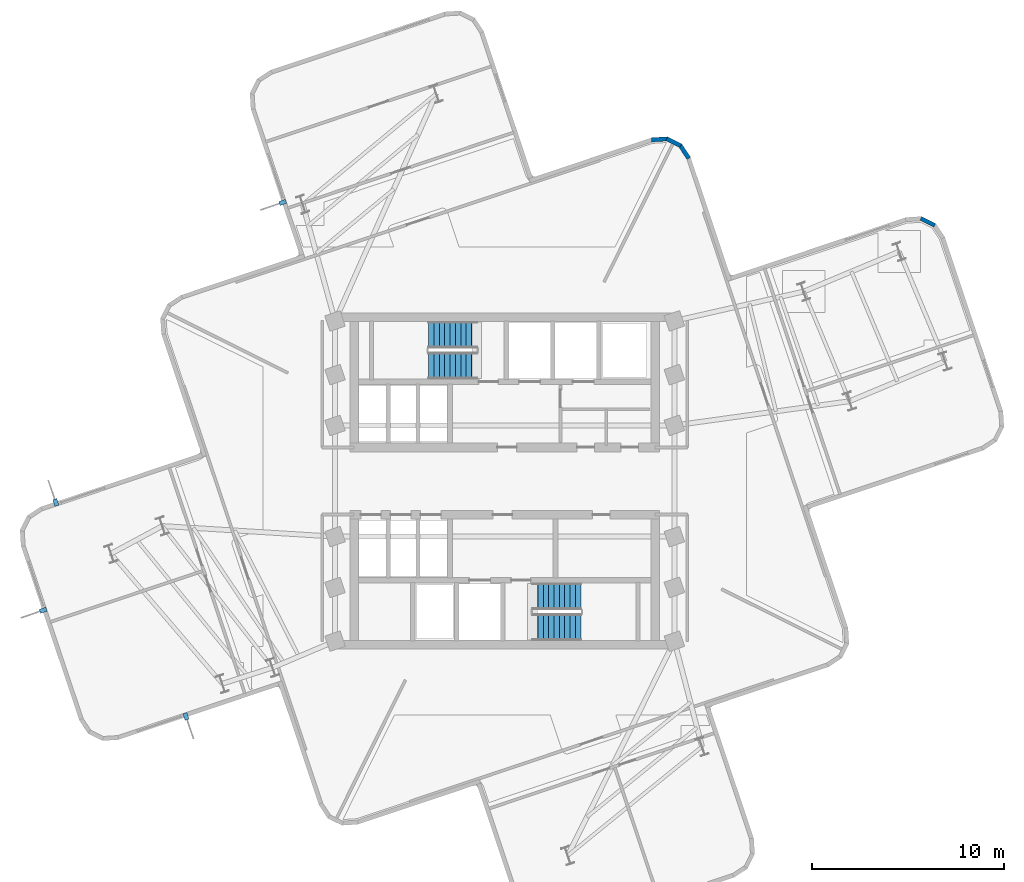
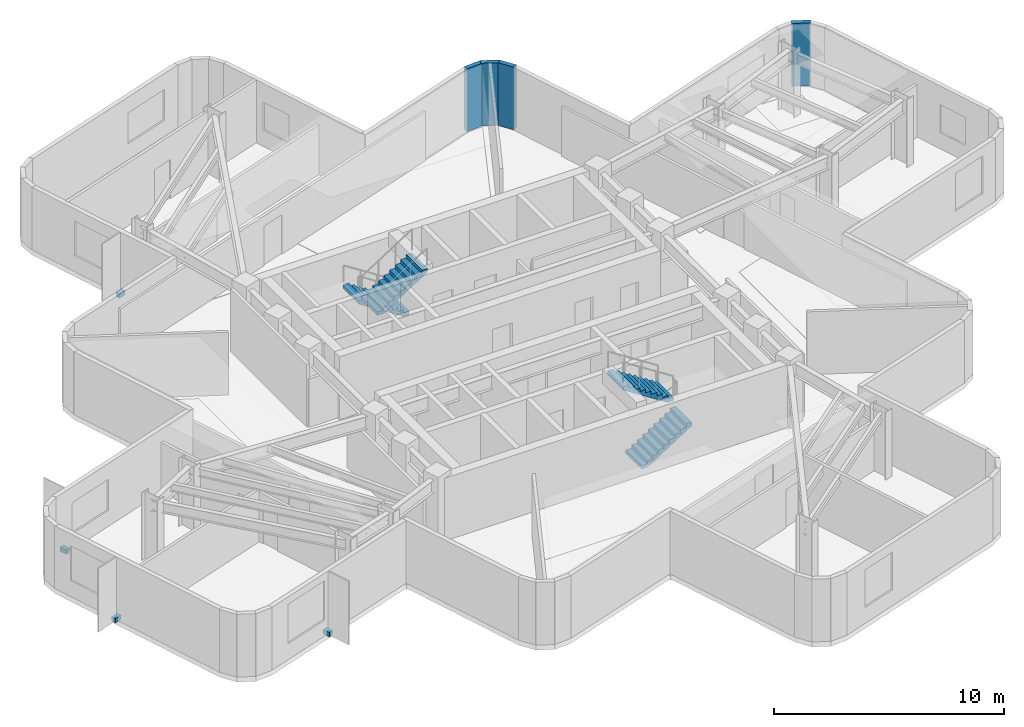
# One storey, part 5 of 8: 4 discrete accessories, 4 stair flights, 4 walls, 2 elements without a shape of their own.
"""IFC4 building model written with IfcOpenShell, lengths in metres."""

from ifc_helpers import new_model, si_unit, direction, frame, frame_2d, origin, origin_2d, place, context, subcontext, project, spatial, polyline, rectangle, outline, extrude, material, layer, layer_set, type_object, element, aggregate, save


model = new_model("IFC4")

# Units and contexts
model_context = context("Model", 3, precision=1e-05, world=origin(), true_north=direction((0.0, 1.0)))
body_context = subcontext(model_context, "Body", "Model", "MODEL_VIEW")
ifc_project = project(units=[si_unit("LENGTHUNIT", "METRE"), si_unit("AREAUNIT", "SQUARE_METRE"), si_unit("VOLUMEUNIT", "CUBIC_METRE"), si_unit("PLANEANGLEUNIT", "RADIAN"), si_unit("MASSUNIT", "GRAM", prefix="KILO")], contexts=[model_context])

# Site, building, storey
site_placement = place(None, origin())
site = spatial("IfcSite", under=ifc_project, at=site_placement, CompositionType="ELEMENT")
building_placement = place(site_placement, origin())
building = spatial("IfcBuilding", under=site, at=building_placement, Name="Solmarez Civic Tower", CompositionType="ELEMENT")
storey_placement = place(building_placement, frame((0.0, 0.0, 159.47998046875)))
storey = spatial("IfcBuildingStorey", under=building, at=storey_placement, Name="L42", CompositionType="ELEMENT", Elevation=159.47998046875)

# Walls
ifc_material_1 = material(Name="Precast concrete C40/50", Category="concrete")
ifc_layer = layer(ifc_material_1, 0.219970703125)
ifc_layer_set = layer_set([ifc_layer], Name="Precast concrete C40/50")
wall_type = type_object("IfcWallType", Name="WALL-EXT-220", PredefinedType="SOLIDWALL", material=ifc_layer_set)
wall_1_placement = place(storey_placement, frame((7.659912109375, 17.7958984375, 0.0), z_axis=(0.0, 0.0, 1.0), x_axis=(0.998057128569, 0.062305442082, 0.0)))
element("IfcWall", 1, at=wall_1_placement, inside=storey, type_object=wall_type, Name="L42 Exterior Precast Wall 32", PredefinedType="SOLIDWALL", context=body_context, shape_type="SweptSolid", body=[
    extrude(rectangle(XDim=0.834716796875, YDim=0.219970703125, at=frame_2d((0.41748046875, 0.0))), origin(), (0.0, 0.0, 1.0), 3.340087890625),
])
wall_2_placement = place(storey_placement, frame((8.446044921875, 17.85693359375, 0.0), z_axis=(0.0, 0.0, 1.0), x_axis=(0.894904281631, -0.446258139106, 0.0)))
element("IfcWall", 2, at=wall_2_placement, inside=storey, type_object=wall_type, Name="L42 Exterior Precast Wall 33", PredefinedType="SOLIDWALL", context=body_context, shape_type="SweptSolid", body=[
    extrude(rectangle(XDim=0.81787109375, YDim=0.219970703125, at=frame_2d((0.408935546875, 0.0))), origin(), (0.0, 0.0, 1.0), 3.340087890625),
])
wall_3_placement = place(storey_placement, frame((9.14208984375, 17.52392578125, 0.0), z_axis=(0.0, 0.0, 1.0), x_axis=(0.552133058206, -0.833756011094, 0.0)))
element("IfcWall", 3, at=wall_3_placement, inside=storey, type_object=wall_type, Name="L42 Exterior Precast Wall 34", PredefinedType="SOLIDWALL", context=body_context, shape_type="SweptSolid", body=[
    extrude(rectangle(XDim=0.834716796875, YDim=0.219970703125, at=frame_2d((0.41748046875, 0.0))), origin(), (0.0, 0.0, 1.0), 3.340087890625),
])
wall_4_placement = place(storey_placement, frame((21.700927734375, 13.697998046875, 0.0), z_axis=(0.0, 0.0, 1.0), x_axis=(0.894963703084, -0.446138958356, 0.0)))
element("IfcWall", 4, at=wall_4_placement, inside=storey, type_object=wall_type, Name="L42 Exterior Precast Wall 40", PredefinedType="SOLIDWALL", context=body_context, shape_type="SweptSolid", body=[
    extrude(rectangle(XDim=0.818115234375, YDim=0.219970703125, at=frame_2d((0.4091796875, 0.0))), origin(), (0.0, 0.0, 1.0), 3.340087890625),
])

# Stair, stair flights
ifc_material_2 = material(Name="Concrete C50/60", Category="concrete")
stair_type = type_object("IfcStairType", Name="STAIR-DOGLEG-140W-20R-1800", PredefinedType="HALF_TURN_STAIR", material=ifc_material_2)
stair_1_placement = place(storey_placement, origin())
stair_1 = element("IfcStair", 5, at=stair_1_placement, inside=storey, type_object=stair_type, Name="L42 North Core Protected Exit Stair ST-1", PredefinedType="HALF_TURN_STAIR")
stair_flight_type = type_object("IfcStairFlightType", Name="FLIGHT-DOGLEG-140W-10R-1800", PredefinedType="STRAIGHT", material=ifc_material_2)
stair_flight_1_placement = place(storey_placement, frame((-1.449951171875, 7.6201171875, 0.0), z_axis=(0.0, 0.0, 1.0), x_axis=(-1.0, 0.0, 0.0)))
stair_flight_1 = element("IfcStairFlight", 6, at=stair_flight_1_placement, type_object=stair_flight_type, Name="ST-1 flight 1", NumberOfRisers=10, NumberOfTreads=9, PredefinedType="STRAIGHT", RiserHeight=0.18, TreadLength=0.28, context=body_context, shape_type="SweptSolid", body=[
    extrude(outline(polyline([(0.0, 0.0), (0.0, 0.179931640625), (0.280029296875, 0.179931640625), (0.280029296875, 0.360107421875), (0.56005859375, 0.360107421875), (0.56005859375, 0.5400390625), (0.840087890625, 0.5400390625), (0.840087890625, 0.719970703125), (1.1201171875, 0.719970703125), (1.1201171875, 0.89990234375), (1.39990234375, 0.89990234375), (1.39990234375, 1.080078125), (1.679931640625, 1.080078125), (1.679931640625, 1.260009765625), (1.9599609375, 1.260009765625), (1.9599609375, 1.43994140625), (2.239990234375, 1.43994140625), (2.239990234375, 1.6201171875), (2.52001953125, 1.6201171875), (2.52001953125, 1.800048828125), (2.52001953125, 1.429931640625), (0.295654296875, 0.0), (0.0, 0.0)])), frame((0.0, 0.699951171875, 0.0), z_axis=(0.0, -1.0, 0.0), x_axis=(1.0, 0.0, 0.0)), (0.0, 0.0, 1.0), 1.39990234375),
])
stair_flight_2_placement = place(storey_placement, frame((-3.969970703125, 6.02001953125, 1.800048828125), z_axis=(0.0, 0.0, 1.0), x_axis=(1.0, 0.0, 0.0)))
stair_flight_2 = element("IfcStairFlight", 7, at=stair_flight_2_placement, type_object=stair_flight_type, Name="ST-1 flight 2", NumberOfRisers=10, NumberOfTreads=9, PredefinedType="STRAIGHT", RiserHeight=0.18, TreadLength=0.28, context=body_context, shape_type="SweptSolid", body=[
    extrude(outline(polyline([(0.0, 0.0), (0.0, 0.179931640625), (0.280029296875, 0.179931640625), (0.280029296875, 0.360107421875), (0.56005859375, 0.360107421875), (0.56005859375, 0.5400390625), (0.840087890625, 0.5400390625), (0.840087890625, 0.719970703125), (1.1201171875, 0.719970703125), (1.1201171875, 0.89990234375), (1.39990234375, 0.89990234375), (1.39990234375, 1.080078125), (1.679931640625, 1.080078125), (1.679931640625, 1.260009765625), (1.9599609375, 1.260009765625), (1.9599609375, 1.43994140625), (2.239990234375, 1.43994140625), (2.239990234375, 1.6201171875), (2.52001953125, 1.6201171875), (2.52001953125, 1.800048828125), (2.52001953125, 1.429931640625), (0.295654296875, 0.0), (0.0, 0.0)])), frame((0.0, 0.699951171875, 0.0), z_axis=(0.0, -1.0, 0.0), x_axis=(1.0, 0.0, 0.0)), (0.0, 0.0, 1.0), 1.39990234375),
])
aggregate(stair_1, [stair_flight_1, stair_flight_2])

stair_2_placement = place(storey_placement, origin())
stair_2 = element("IfcStair", 8, at=stair_2_placement, inside=storey, type_object=stair_type, Name="L42 South Core Protected Exit Stair ST-2", PredefinedType="HALF_TURN_STAIR")
stair_flight_3_placement = place(storey_placement, frame((1.449951171875, -7.6201171875, 0.0), z_axis=(0.0, 0.0, 1.0), x_axis=(1.0, 0.0, 0.0)))
stair_flight_3 = element("IfcStairFlight", 9, at=stair_flight_3_placement, type_object=stair_flight_type, Name="ST-2 flight 1", NumberOfRisers=10, NumberOfTreads=9, PredefinedType="STRAIGHT", RiserHeight=0.18, TreadLength=0.28, context=body_context, shape_type="SweptSolid", body=[
    extrude(outline(polyline([(0.0, 0.0), (0.0, 0.179931640625), (0.280029296875, 0.179931640625), (0.280029296875, 0.360107421875), (0.56005859375, 0.360107421875), (0.56005859375, 0.5400390625), (0.840087890625, 0.5400390625), (0.840087890625, 0.719970703125), (1.1201171875, 0.719970703125), (1.1201171875, 0.89990234375), (1.39990234375, 0.89990234375), (1.39990234375, 1.080078125), (1.679931640625, 1.080078125), (1.679931640625, 1.260009765625), (1.9599609375, 1.260009765625), (1.9599609375, 1.43994140625), (2.239990234375, 1.43994140625), (2.239990234375, 1.6201171875), (2.52001953125, 1.6201171875), (2.52001953125, 1.800048828125), (2.52001953125, 1.429931640625), (0.295654296875, 0.0), (0.0, 0.0)])), frame((0.0, 0.699951171875, 0.0), z_axis=(0.0, -1.0, 0.0), x_axis=(1.0, 0.0, 0.0)), (0.0, 0.0, 1.0), 1.39990234375),
])
stair_flight_4_placement = place(storey_placement, frame((3.969970703125, -6.02001953125, 1.800048828125), z_axis=(0.0, 0.0, 1.0), x_axis=(-1.0, 0.0, 0.0)))
stair_flight_4 = element("IfcStairFlight", 10, at=stair_flight_4_placement, type_object=stair_flight_type, Name="ST-2 flight 2", NumberOfRisers=10, NumberOfTreads=9, PredefinedType="STRAIGHT", RiserHeight=0.18, TreadLength=0.28, context=body_context, shape_type="SweptSolid", body=[
    extrude(outline(polyline([(0.0, 0.0), (0.0, 0.179931640625), (0.280029296875, 0.179931640625), (0.280029296875, 0.360107421875), (0.56005859375, 0.360107421875), (0.56005859375, 0.5400390625), (0.840087890625, 0.5400390625), (0.840087890625, 0.719970703125), (1.1201171875, 0.719970703125), (1.1201171875, 0.89990234375), (1.39990234375, 0.89990234375), (1.39990234375, 1.080078125), (1.679931640625, 1.080078125), (1.679931640625, 1.260009765625), (1.9599609375, 1.260009765625), (1.9599609375, 1.43994140625), (2.239990234375, 1.43994140625), (2.239990234375, 1.6201171875), (2.52001953125, 1.6201171875), (2.52001953125, 1.800048828125), (2.52001953125, 1.429931640625), (0.295654296875, 0.0), (0.0, 0.0)])), frame((0.0, 0.699951171875, 0.0), z_axis=(0.0, -1.0, 0.0), x_axis=(1.0, 0.0, 0.0)), (0.0, 0.0, 1.0), 1.39990234375),
])
aggregate(stair_2, [stair_flight_3, stair_flight_4])

# Discrete accessories
ifc_material_3 = material(Name="Stainless Steel Grade 1.4401", Category="steel")
discrete_accessory_type = type_object("IfcDiscreteAccessoryType", Name="BRACKET-SS-FIN", PredefinedType="BRACKET", material=ifc_material_3)
for number, where, z_axis, x_axis, name in (
    (11, (-16.623046875, -12.279052734375, -0.06005859375), (0.0, 0.0, 1.0), (0.317267246801, -0.948336171464, 0.0), "L42 Stainless Fin Support Bracket FIN-L42-01"),
    (12, (-24.073974609375, -6.742919921875, -0.06005859375), (0.0, 0.0, 1.0), (-0.948327481565, -0.317293220395, 0.0), "L42 Stainless Fin Support Bracket FIN-L42-02"),
    (13, (-23.416015625, -1.116943359375, -0.06005859375), (0.0, 0.0, 1.0), (-0.317267246801, 0.948336171464, 0.0), "L42 Stainless Fin Support Bracket FIN-L42-03"),
    (14, (-11.577880859375, 14.530029296875, -0.06005859375), (0.0, 0.0, 1.0), (-0.948351314311, -0.317221980079, 0.0), "L42 Stainless Fin Support Bracket FIN-L42-04"),
):
    element("IfcDiscreteAccessory", number, at=place(storey_placement, frame(where, z_axis=z_axis, x_axis=x_axis)), inside=storey, type_object=discrete_accessory_type, Name=name, PredefinedType="BRACKET", context=body_context, shape_type="SweptSolid", body=[
        extrude(rectangle(XDim=0.360107421875, YDim=0.219970703125, at=origin_2d()), origin(), (0.0, 0.0, 1.0), 0.239990234375),
    ])

save(model, "model.ifc")
